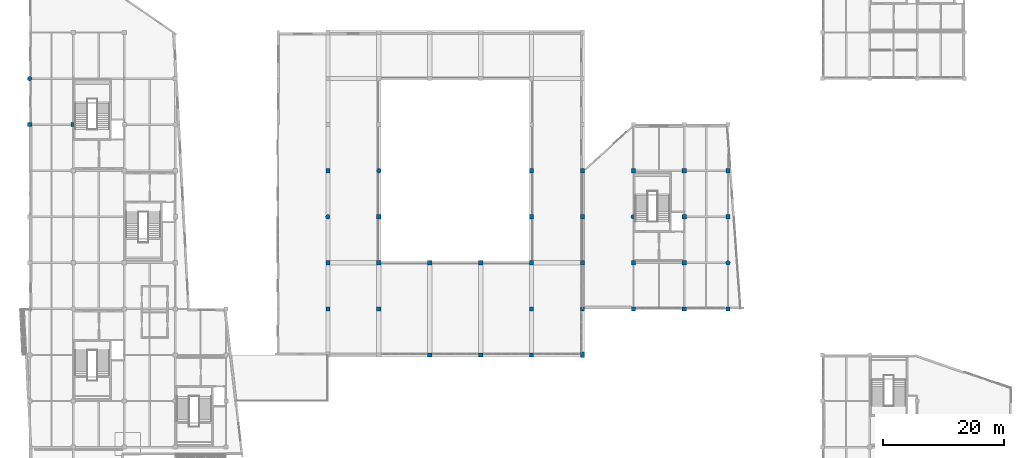
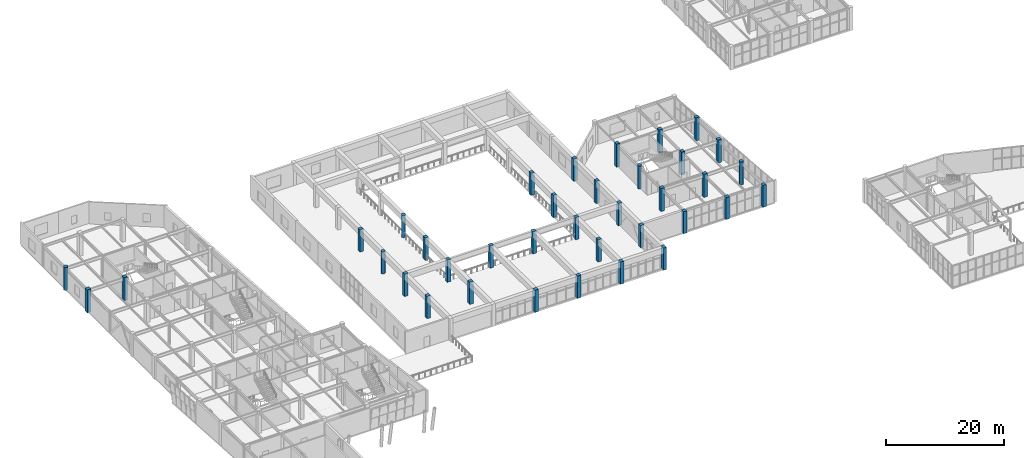
# One storey, part 4 of 72: 37 columns.
"""IFC4 building model written with IfcOpenShell, lengths in metres."""

from ifc_helpers import new_model, si_unit, direction, frame, origin, origin_2d, place, context, subcontext, project, spatial, rectangle, circle, extrude, material, material_profile, profile_set, type_object, element, save


model = new_model("IFC4")

# Units and contexts
model_context = context("Model", 3, precision=1e-05, world=origin(), true_north=direction((0.0, 1.0)))
body_context = subcontext(model_context, "Body", "Model", "MODEL_VIEW")
ifc_project = project(units=[si_unit("LENGTHUNIT", "METRE"), si_unit("AREAUNIT", "SQUARE_METRE"), si_unit("VOLUMEUNIT", "CUBIC_METRE"), si_unit("PLANEANGLEUNIT", "RADIAN"), si_unit("MASSUNIT", "GRAM", prefix="KILO")], contexts=[model_context])

# Site, building, storey
site_placement = place(None, origin())
site = spatial("IfcSite", under=ifc_project, at=site_placement, CompositionType="ELEMENT")
building_placement = place(site_placement, origin())
building = spatial("IfcBuilding", under=site, at=building_placement, Name="Xicomal Pleat Aquarium", CompositionType="ELEMENT")
storey_placement = place(building_placement, frame((0.0, 0.0, 10.5)))
storey = spatial("IfcBuildingStorey", under=building, at=storey_placement, Name="L03", CompositionType="ELEMENT", Elevation=10.5)

# Columns
ifc_material_1 = material(Name="Concrete C40/50", Category="concrete")
ifc_material_profile_1 = material_profile(ifc_material_1, rectangle(XDim=0.60009765625, YDim=0.89990234375, at=origin_2d()), Name="RC 600x900")
ifc_profile_set_1 = profile_set([ifc_material_profile_1], Name="Concrete C40/50")
column_type_1 = type_object("IfcColumnType", Name="COL-RC-600x900", PredefinedType="COLUMN", material=ifc_profile_set_1)
column_1_placement = place(storey_placement, frame((94.199951171875, 30.39990234375, 0.0), z_axis=(0.0, 0.0, 1.0), x_axis=(1.0, 0.0, 0.0)))
element("IfcColumn", 1, at=column_1_placement, inside=storey, type_object=column_type_1, Name="L03 column 12/E", PredefinedType="COLUMN", context=body_context, shape_type="SweptSolid", body=[
    extrude(rectangle(XDim=0.60009765625, YDim=0.89990234375, at=origin_2d()), origin(), (0.0, 0.0, 1.0), 4.635009765625),
])
ifc_material_2 = material(Name="Concrete C40/50", Category="concrete")
ifc_material_profile_2 = material_profile(ifc_material_2, rectangle(XDim=0.699951171875, YDim=0.699951171875, at=origin_2d()), Name="RC 700x700")
ifc_profile_set_2 = profile_set([ifc_material_profile_2], Name="Concrete C40/50")
column_type_2 = type_object("IfcColumnType", Name="COL-RC-700x700", PredefinedType="COLUMN", material=ifc_profile_set_2)
for number, where, z_axis, x_axis, name in (
    (2, (3.0, 68.39990234375, 0.0), (0.0, 0.0, 1.0), (1.0, 0.0, 0.0), "L03 column 01/K"),
    (3, (10.199951171875, 68.39990234375, 0.0), (0.0, 0.0, 1.0), (1.0, 0.0, 0.0), "L03 column 02/K"),
):
    element("IfcColumn", number, at=place(storey_placement, frame(where, z_axis=z_axis, x_axis=x_axis)), inside=storey, type_object=column_type_2, Name=name, PredefinedType="COLUMN", context=body_context, shape_type="SweptSolid", body=[
        extrude(rectangle(XDim=0.699951171875, YDim=0.699951171875, at=origin_2d()), origin(), (0.0, 0.0, 1.0), 4.800048828125),
    ])
for number, where, z_axis, x_axis, name in (
    (4, (52.199951171875, 38.0, 0.0), (0.0, 0.0, 1.0), (1.0, 0.0, 0.0), "L03 column 07/F"),
    (5, (52.199951171875, 45.60009765625, 0.0), (0.0, 0.0, 1.0), (1.0, 0.0, 0.0), "L03 column 07/G"),
    (6, (52.199951171875, 60.800048828125, 0.0), (0.0, 0.0, 1.0), (1.0, 0.0, 0.0), "L03 column 07/J"),
    (7, (60.60009765625, 38.0, 0.0), (0.0, 0.0, 1.0), (1.0, 0.0, 0.0), "L03 column 08/F"),
    (8, (60.60009765625, 45.60009765625, 0.0), (0.0, 0.0, 1.0), (1.0, 0.0, 0.0), "L03 column 08/G"),
    (9, (60.60009765625, 53.199951171875, 0.0), (0.0, 0.0, 1.0), (1.0, 0.0, 0.0), "L03 column 08/H"),
    (10, (69.0, 30.39990234375, 0.0), (0.0, 0.0, 1.0), (1.0, 0.0, 0.0), "L03 column 09/E"),
    (11, (69.0, 45.60009765625, 0.0), (0.0, 0.0, 1.0), (1.0, 0.0, 0.0), "L03 column 09/G"),
    (12, (77.39990234375, 30.39990234375, 0.0), (0.0, 0.0, 1.0), (1.0, 0.0, 0.0), "L03 column 10/E"),
    (13, (77.39990234375, 45.60009765625, 0.0), (0.0, 0.0, 1.0), (1.0, 0.0, 0.0), "L03 column 10/G"),
    (14, (85.800048828125, 30.39990234375, 0.0), (0.0, 0.0, 1.0), (1.0, 0.0, 0.0), "L03 column 11/E"),
    (15, (85.800048828125, 38.0, 0.0), (0.0, 0.0, 1.0), (1.0, 0.0, 0.0), "L03 column 11/F"),
    (16, (85.800048828125, 45.60009765625, 0.0), (0.0, 0.0, 1.0), (1.0, 0.0, 0.0), "L03 column 11/G"),
    (17, (85.800048828125, 53.199951171875, 0.0), (0.0, 0.0, 1.0), (1.0, 0.0, 0.0), "L03 column 11/H"),
    (18, (85.800048828125, 60.800048828125, 0.0), (0.0, 0.0, 1.0), (1.0, 0.0, 0.0), "L03 column 11/J"),
    (19, (94.199951171875, 38.0, 0.0), (0.0, 0.0, 1.0), (1.0, 0.0, 0.0), "L03 column 12/F"),
    (20, (94.199951171875, 45.60009765625, 0.0), (0.0, 0.0, 1.0), (1.0, 0.0, 0.0), "L03 column 12/G"),
    (21, (94.199951171875, 53.199951171875, 0.0), (0.0, 0.0, 1.0), (1.0, 0.0, 0.0), "L03 column 12/H"),
    (22, (94.199951171875, 60.800048828125, 0.0), (0.0, 0.0, 1.0), (1.0, 0.0, 0.0), "L03 column 12/J"),
):
    element("IfcColumn", number, at=place(storey_placement, frame(where, z_axis=z_axis, x_axis=x_axis)), inside=storey, type_object=column_type_2, Name=name, PredefinedType="COLUMN", context=body_context, shape_type="SweptSolid", body=[
        extrude(rectangle(XDim=0.699951171875, YDim=0.699951171875, at=origin_2d()), origin(), (0.0, 0.0, 1.0), 4.635009765625),
    ])
column_2_placement = place(storey_placement, frame((102.60009765625, 38.0, 0.0), z_axis=(0.0, 0.0, 1.0), x_axis=(1.0, 0.0, 0.0)))
element("IfcColumn", 23, at=column_2_placement, inside=storey, type_object=column_type_2, Name="L03 column 13/F", PredefinedType="COLUMN", context=body_context, shape_type="SweptSolid", body=[
    extrude(rectangle(XDim=0.699951171875, YDim=0.699951171875, at=origin_2d()), origin(), (0.0, 0.0, 1.0), 4.574951171875),
])
for number, where, z_axis, x_axis, name in (
    (24, (102.60009765625, 45.60009765625, 0.0), (0.0, 0.0, 1.0), (1.0, 0.0, 0.0), "L03 column 13/G"),
    (25, (102.60009765625, 60.800048828125, 0.0), (0.0, 0.0, 1.0), (1.0, 0.0, 0.0), "L03 column 13/J"),
):
    element("IfcColumn", number, at=place(storey_placement, frame(where, z_axis=z_axis, x_axis=x_axis)), inside=storey, type_object=column_type_2, Name=name, PredefinedType="COLUMN", context=body_context, shape_type="SweptSolid", body=[
        extrude(rectangle(XDim=0.699951171875, YDim=0.699951171875, at=origin_2d()), origin(), (0.0, 0.0, 1.0), 4.800048828125),
    ])
column_3_placement = place(storey_placement, frame((111.0, 38.0, 0.0), z_axis=(0.0, 0.0, 1.0), x_axis=(1.0, 0.0, 0.0)))
element("IfcColumn", 26, at=column_3_placement, inside=storey, type_object=column_type_2, Name="L03 column 14/F", PredefinedType="COLUMN", context=body_context, shape_type="SweptSolid", body=[
    extrude(rectangle(XDim=0.699951171875, YDim=0.699951171875, at=origin_2d()), origin(), (0.0, 0.0, 1.0), 4.574951171875),
])
for number, where, z_axis, x_axis, name in (
    (27, (111.0, 45.60009765625, 0.0), (0.0, 0.0, 1.0), (1.0, 0.0, 0.0), "L03 column 14/G"),
    (28, (111.0, 53.199951171875, 0.0), (0.0, 0.0, 1.0), (1.0, 0.0, 0.0), "L03 column 14/H"),
    (29, (111.0, 60.800048828125, 0.0), (0.0, 0.0, 1.0), (1.0, 0.0, 0.0), "L03 column 14/J"),
):
    element("IfcColumn", number, at=place(storey_placement, frame(where, z_axis=z_axis, x_axis=x_axis)), inside=storey, type_object=column_type_2, Name=name, PredefinedType="COLUMN", context=body_context, shape_type="SweptSolid", body=[
        extrude(rectangle(XDim=0.699951171875, YDim=0.699951171875, at=origin_2d()), origin(), (0.0, 0.0, 1.0), 4.800048828125),
    ])
column_4_placement = place(storey_placement, frame((118.199951171875, 38.0, 0.0), z_axis=(0.0, 0.0, 1.0), x_axis=(1.0, 0.0, 0.0)))
element("IfcColumn", 30, at=column_4_placement, inside=storey, type_object=column_type_2, Name="L03 column 15/F", PredefinedType="COLUMN", context=body_context, shape_type="SweptSolid", body=[
    extrude(rectangle(XDim=0.699951171875, YDim=0.699951171875, at=origin_2d()), origin(), (0.0, 0.0, 1.0), 4.574951171875),
])
for number, where, z_axis, x_axis, name in (
    (31, (118.199951171875, 53.199951171875, 0.0), (0.0, 0.0, 1.0), (1.0, 0.0, 0.0), "L03 column 15/H"),
    (32, (118.199951171875, 60.800048828125, 0.0), (0.0, 0.0, 1.0), (1.0, 0.0, 0.0), "L03 column 15/J"),
):
    element("IfcColumn", number, at=place(storey_placement, frame(where, z_axis=z_axis, x_axis=x_axis)), inside=storey, type_object=column_type_2, Name=name, PredefinedType="COLUMN", context=body_context, shape_type="SweptSolid", body=[
        extrude(rectangle(XDim=0.699951171875, YDim=0.699951171875, at=origin_2d()), origin(), (0.0, 0.0, 1.0), 4.800048828125),
    ])
ifc_material_3 = material(Name="Concrete C40/50", Category="concrete")
ifc_material_profile_3 = material_profile(ifc_material_3, circle(Radius=0.375, at=origin_2d()), Name="RCC D750")
ifc_profile_set_3 = profile_set([ifc_material_profile_3], Name="Concrete C40/50")
column_type_3 = type_object("IfcColumnType", Name="COL-RCC-D750", PredefinedType="COLUMN", material=ifc_profile_set_3)
column_5_placement = place(storey_placement, frame((3.0, 76.0, 0.0), z_axis=(0.0, 0.0, 1.0), x_axis=(1.0, 0.0, 0.0)))
element("IfcColumn", 33, at=column_5_placement, inside=storey, type_object=column_type_3, Name="L03 column 01/L", PredefinedType="COLUMN", context=body_context, shape_type="SweptSolid", body=[
    extrude(circle(Radius=0.375, at=origin_2d()), origin(), (0.0, 0.0, 1.0), 4.800048828125),
])
for number, where, z_axis, x_axis, name in (
    (34, (52.199951171875, 53.199951171875, 0.0), (0.0, 0.0, 1.0), (1.0, 0.0, 0.0), "L03 column 07/H"),
    (35, (60.60009765625, 60.800048828125, 0.0), (0.0, 0.0, 1.0), (1.0, 0.0, 0.0), "L03 column 08/J"),
):
    element("IfcColumn", number, at=place(storey_placement, frame(where, z_axis=z_axis, x_axis=x_axis)), inside=storey, type_object=column_type_3, Name=name, PredefinedType="COLUMN", context=body_context, shape_type="SweptSolid", body=[
        extrude(circle(Radius=0.375, at=origin_2d()), origin(), (0.0, 0.0, 1.0), 4.635009765625),
    ])
for number, where, z_axis, x_axis, name in (
    (36, (102.60009765625, 53.199951171875, 0.0), (0.0, 0.0, 1.0), (1.0, 0.0, 0.0), "L03 column 13/H"),
    (37, (118.199951171875, 45.60009765625, 0.0), (0.0, 0.0, 1.0), (1.0, 0.0, 0.0), "L03 column 15/G"),
):
    element("IfcColumn", number, at=place(storey_placement, frame(where, z_axis=z_axis, x_axis=x_axis)), inside=storey, type_object=column_type_3, Name=name, PredefinedType="COLUMN", context=body_context, shape_type="SweptSolid", body=[
        extrude(circle(Radius=0.375, at=origin_2d()), origin(), (0.0, 0.0, 1.0), 4.800048828125),
    ])

save(model, "model.ifc")
